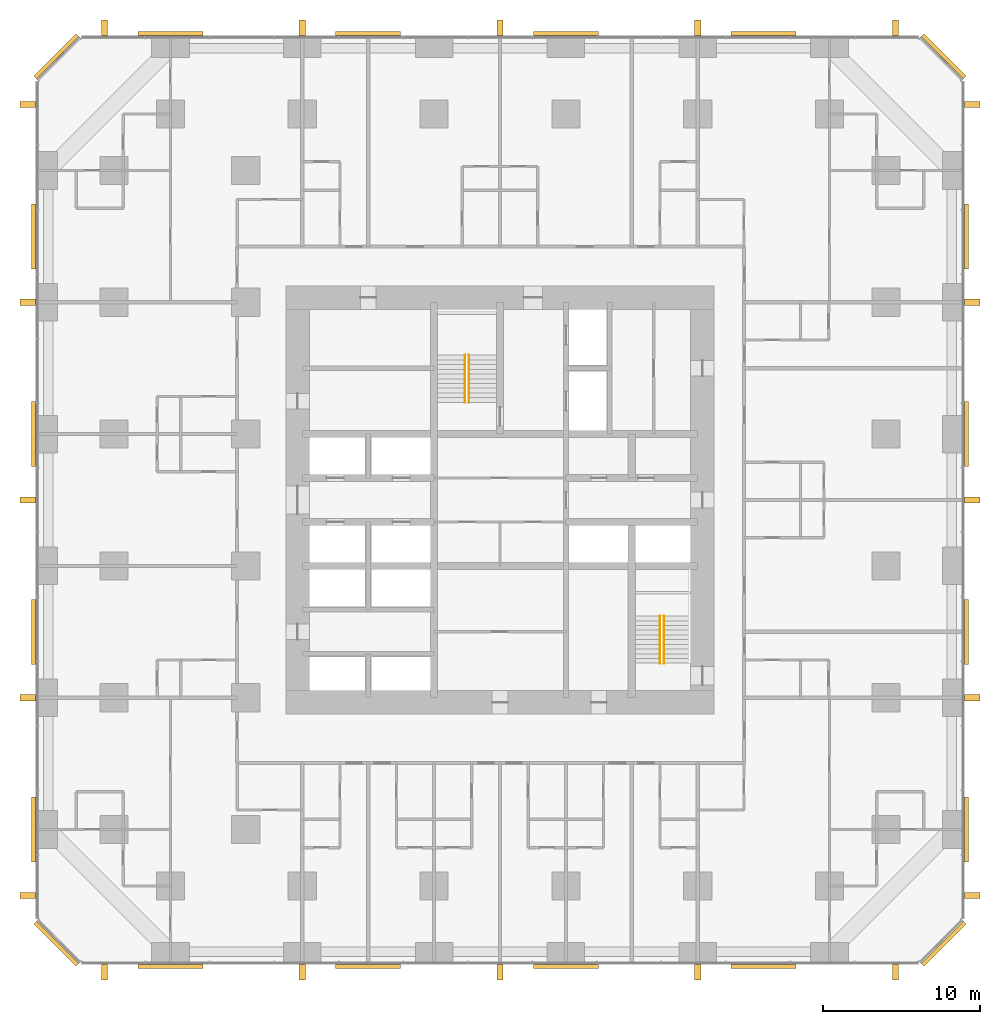
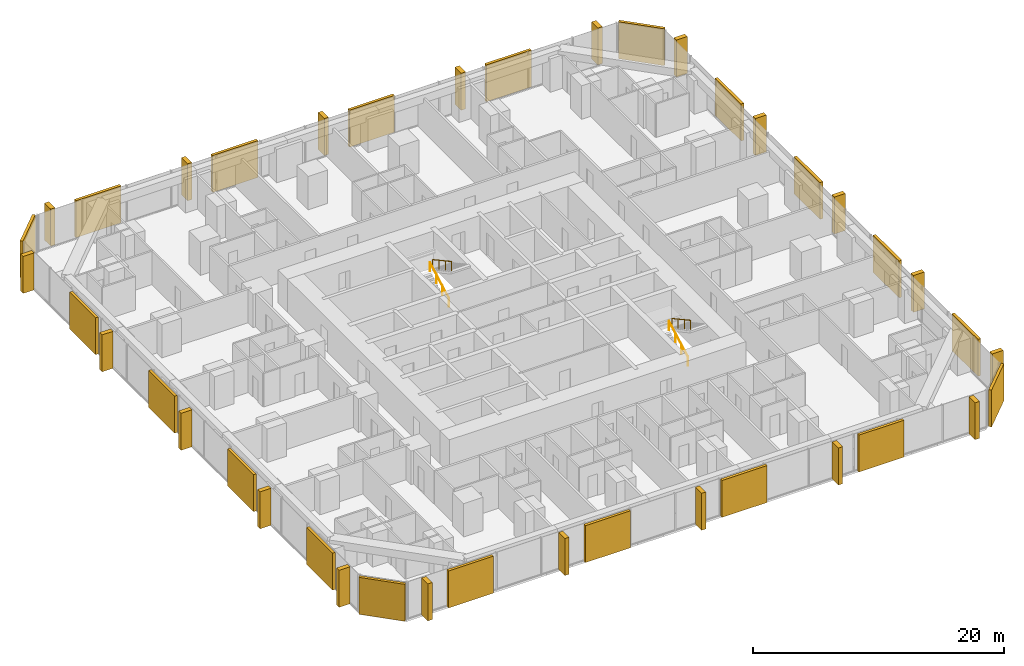
# One storey, part 17 of 17: 20 coverings, 20 shading devices, 4 railings.
"""IFC4 building model written with IfcOpenShell, lengths in metres."""

from ifc_helpers import new_model, si_unit, direction, frame, origin, origin_2d, place, context, subcontext, project, spatial, rectangle, circle, extrude, material, layer, layer_set, type_object, element, save


model = new_model("IFC4")

# Units and contexts
model_context = context("Model", 3, precision=1e-05, world=origin(), true_north=direction((0.0, 1.0)))
body_context = subcontext(model_context, "Body", "Model", "MODEL_VIEW")
ifc_project = project(units=[si_unit("LENGTHUNIT", "METRE"), si_unit("AREAUNIT", "SQUARE_METRE"), si_unit("VOLUMEUNIT", "CUBIC_METRE"), si_unit("PLANEANGLEUNIT", "RADIAN"), si_unit("MASSUNIT", "GRAM", prefix="KILO")], contexts=[model_context])

# Site, building, storey
site_placement = place(None, origin())
site = spatial("IfcSite", under=ifc_project, at=site_placement, CompositionType="ELEMENT")
building_placement = place(site_placement, origin())
building = spatial("IfcBuilding", under=site, at=building_placement, Name="Dunama Terrace Hotel", CompositionType="ELEMENT")
storey_placement = place(building_placement, frame((0.0, 0.0, 77.39990234375)))
storey = spatial("IfcBuildingStorey", under=building, at=storey_placement, Name="L19", CompositionType="ELEMENT", Elevation=77.39990234375)

# Railings
ifc_material_1 = material(Name="Stainless steel handrail", Category="steel")
railing_type = type_object("IfcRailingType", Name="Stair handrail 900", PredefinedType="HANDRAIL", material=ifc_material_1)
railing_1_placement = place(storey_placement, frame((27.175048828125, 35.625, 0.163818359375)))
element("IfcRailing", 1, at=railing_1_placement, inside=storey, type_object=railing_type, Name="Handrail ST1 L19", PredefinedType="HANDRAIL", context=body_context, shape_type="SweptSolid", body=[
    extrude(circle(Radius=0.02392578125, at=origin_2d()), frame((0.0, 0.0, 0.8759765625), z_axis=(0.0, 0.877911954615, 0.47882209634), x_axis=(-1.0, 0.0, 0.0)), (0.0, 0.0, 1.0), 3.417236328125),
    extrude(circle(Radius=0.02099609375, at=origin_2d()), origin(), (0.0, 0.0, 1.0), 0.851806640625),
    extrude(circle(Radius=0.02099609375, at=origin_2d()), frame((0.0, 1.0, 0.54541015625)), (0.0, 0.0, 1.0), 0.851806640625),
    extrude(circle(Radius=0.02099609375, at=origin_2d()), frame((0.0, 2.0, 1.0908203125)), (0.0, 0.0, 1.0), 0.851806640625),
    extrude(circle(Radius=0.02099609375, at=origin_2d()), frame((0.0, 3.0, 1.63623046875)), (0.0, 0.0, 1.0), 0.851806640625),
])
railing_2_placement = place(storey_placement, frame((27.425048828125, 38.625, 1.963623046875)))
element("IfcRailing", 2, at=railing_2_placement, inside=storey, type_object=railing_type, Name="Handrail ST1 L19", PredefinedType="HANDRAIL", context=body_context, shape_type="SweptSolid", body=[
    extrude(circle(Radius=0.02392578125, at=origin_2d()), frame((0.0, 0.0, 0.8759765625), z_axis=(0.0, -0.877881921179, 0.478877158013), x_axis=(1.0, 0.0, 0.0)), (0.0, 0.0, 1.0), 3.417236328125),
    extrude(circle(Radius=0.02099609375, at=origin_2d()), origin(), (0.0, 0.0, 1.0), 0.851806640625),
    extrude(circle(Radius=0.02099609375, at=origin_2d()), frame((0.0, -1.0, 0.54541015625)), (0.0, 0.0, 1.0), 0.851806640625),
    extrude(circle(Radius=0.02099609375, at=origin_2d()), frame((0.0, -2.0, 1.091064453125)), (0.0, 0.0, 1.0), 0.851806640625),
    extrude(circle(Radius=0.02099609375, at=origin_2d()), frame((0.0, -3.0, 1.636474609375)), (0.0, 0.0, 1.0), 0.851806640625),
])
railing_3_placement = place(storey_placement, frame((39.60009765625, 19.0, 0.163818359375)))
element("IfcRailing", 3, at=railing_3_placement, inside=storey, type_object=railing_type, Name="Handrail ST2 L19", PredefinedType="HANDRAIL", context=body_context, shape_type="SweptSolid", body=[
    extrude(circle(Radius=0.02392578125, at=origin_2d()), frame((0.0, 0.0, 0.8759765625), z_axis=(0.0, 0.877911954615, 0.47882209634), x_axis=(-1.0, 0.0, 0.0)), (0.0, 0.0, 1.0), 3.417236328125),
    extrude(circle(Radius=0.02099609375, at=origin_2d()), origin(), (0.0, 0.0, 1.0), 0.851806640625),
    extrude(circle(Radius=0.02099609375, at=origin_2d()), frame((0.0, 1.0, 0.54541015625)), (0.0, 0.0, 1.0), 0.851806640625),
    extrude(circle(Radius=0.02099609375, at=origin_2d()), frame((0.0, 2.0, 1.0908203125)), (0.0, 0.0, 1.0), 0.851806640625),
    extrude(circle(Radius=0.02099609375, at=origin_2d()), frame((0.0, 3.0, 1.63623046875)), (0.0, 0.0, 1.0), 0.851806640625),
])
railing_4_placement = place(storey_placement, frame((39.85009765625, 22.0, 1.963623046875)))
element("IfcRailing", 4, at=railing_4_placement, inside=storey, type_object=railing_type, Name="Handrail ST2 L19", PredefinedType="HANDRAIL", context=body_context, shape_type="SweptSolid", body=[
    extrude(circle(Radius=0.02392578125, at=origin_2d()), frame((0.0, 0.0, 0.8759765625), z_axis=(0.0, -0.877881921179, 0.478877158013), x_axis=(1.0, 0.0, 0.0)), (0.0, 0.0, 1.0), 3.417236328125),
    extrude(circle(Radius=0.02099609375, at=origin_2d()), origin(), (0.0, 0.0, 1.0), 0.851806640625),
    extrude(circle(Radius=0.02099609375, at=origin_2d()), frame((0.0, -1.0, 0.54541015625)), (0.0, 0.0, 1.0), 0.851806640625),
    extrude(circle(Radius=0.02099609375, at=origin_2d()), frame((0.0, -2.0, 1.091064453125)), (0.0, 0.0, 1.0), 0.851806640625),
    extrude(circle(Radius=0.02099609375, at=origin_2d()), frame((0.0, -3.0, 1.636474609375)), (0.0, 0.0, 1.0), 0.851806640625),
])

# Coverings
ifc_material_2 = material(Name="Warm reconstituted stone panel", Category="masonry")
ifc_layer_1 = layer(ifc_material_2, 0.25)
ifc_layer_set_1 = layer_set([ifc_layer_1], Name="Stone diagonal panel")
covering_type = type_object("IfcCoveringType", Name="Stone diagonal panel", PredefinedType="CLADDING", material=ifc_layer_set_1)
for number, where, z_axis, x_axis, name in (
    (5, (8.39990234375, -0.322998046875, 0.001953125), (0.0, 0.0, 1.0), (1.0, 0.0, 0.0), "Stone diagonal panel L19"),
    (6, (21.0, -0.322998046875, 0.001953125), (0.0, 0.0, 1.0), (1.0, 0.0, 0.0), "Stone diagonal panel L19"),
    (7, (33.60009765625, -0.322998046875, 0.001953125), (0.0, 0.0, 1.0), (1.0, 0.0, 0.0), "Stone diagonal panel L19"),
    (8, (46.199951171875, -0.322998046875, 0.001953125), (0.0, 0.0, 1.0), (1.0, 0.0, 0.0), "Stone diagonal panel L19"),
):
    element("IfcCovering", number, at=place(storey_placement, frame(where, z_axis=z_axis, x_axis=x_axis)), inside=storey, type_object=covering_type, Name=name, PredefinedType="CLADDING", context=body_context, shape_type="SweptSolid", body=[
        extrude(rectangle(XDim=4.14990234375, YDim=0.25, at=origin_2d()), origin(), (0.0, 0.0, 1.0), 3.595947265625),
    ])
covering_1_placement = place(storey_placement, frame((57.678955078125, 1.12109375, 0.001953125), z_axis=(0.0, 0.0, 1.0), x_axis=(0.707106781187, 0.707106781187, 0.0)))
element("IfcCovering", 9, at=covering_1_placement, inside=storey, type_object=covering_type, Name="Stone diagonal panel L19", PredefinedType="CLADDING", context=body_context, shape_type="SweptSolid", body=[
    extrude(rectangle(XDim=3.808349609375, YDim=0.25, at=origin_2d()), origin(), (0.0, 0.0, 1.0), 3.595947265625),
])
for number, where, z_axis, x_axis, name in (
    (10, (59.123046875, 8.39990234375, 0.001953125), (0.0, 0.0, 1.0), (0.0, 1.0, 0.0), "Stone diagonal panel L19"),
    (11, (59.123046875, 21.0, 0.001953125), (0.0, 0.0, 1.0), (0.0, 1.0, 0.0), "Stone diagonal panel L19"),
    (12, (59.123046875, 33.60009765625, 0.001953125), (0.0, 0.0, 1.0), (0.0, 1.0, 0.0), "Stone diagonal panel L19"),
    (13, (59.123046875, 46.199951171875, 0.001953125), (0.0, 0.0, 1.0), (0.0, 1.0, 0.0), "Stone diagonal panel L19"),
):
    element("IfcCovering", number, at=place(storey_placement, frame(where, z_axis=z_axis, x_axis=x_axis)), inside=storey, type_object=covering_type, Name=name, PredefinedType="CLADDING", context=body_context, shape_type="SweptSolid", body=[
        extrude(rectangle(XDim=4.14990234375, YDim=0.25, at=origin_2d()), origin(), (0.0, 0.0, 1.0), 3.595947265625),
    ])
covering_2_placement = place(storey_placement, frame((57.678955078125, 57.678955078125, 0.001953125), z_axis=(0.0, 0.0, 1.0), x_axis=(-0.707106781187, 0.707106781187, 0.0)))
element("IfcCovering", 14, at=covering_2_placement, inside=storey, type_object=covering_type, Name="Stone diagonal panel L19", PredefinedType="CLADDING", context=body_context, shape_type="SweptSolid", body=[
    extrude(rectangle(XDim=3.808349609375, YDim=0.25, at=origin_2d()), origin(), (0.0, 0.0, 1.0), 3.595947265625),
])
for number, where, z_axis, x_axis, name in (
    (15, (46.199951171875, 59.123046875, 0.001953125), (0.0, 0.0, 1.0), (-1.0, 0.0, 0.0), "Stone diagonal panel L19"),
    (16, (33.60009765625, 59.123046875, 0.001953125), (0.0, 0.0, 1.0), (-1.0, 0.0, 0.0), "Stone diagonal panel L19"),
    (17, (21.0, 59.123046875, 0.001953125), (0.0, 0.0, 1.0), (-1.0, 0.0, 0.0), "Stone diagonal panel L19"),
    (18, (8.39990234375, 59.123046875, 0.001953125), (0.0, 0.0, 1.0), (-1.0, 0.0, 0.0), "Stone diagonal panel L19"),
):
    element("IfcCovering", number, at=place(storey_placement, frame(where, z_axis=z_axis, x_axis=x_axis)), inside=storey, type_object=covering_type, Name=name, PredefinedType="CLADDING", context=body_context, shape_type="SweptSolid", body=[
        extrude(rectangle(XDim=4.14990234375, YDim=0.25, at=origin_2d()), origin(), (0.0, 0.0, 1.0), 3.595947265625),
    ])
covering_3_placement = place(storey_placement, frame((1.12109375, 57.678955078125, 0.001953125), z_axis=(0.0, 0.0, 1.0), x_axis=(-0.707106781187, -0.707106781187, 0.0)))
element("IfcCovering", 19, at=covering_3_placement, inside=storey, type_object=covering_type, Name="Stone diagonal panel L19", PredefinedType="CLADDING", context=body_context, shape_type="SweptSolid", body=[
    extrude(rectangle(XDim=3.808349609375, YDim=0.25, at=origin_2d()), origin(), (0.0, 0.0, 1.0), 3.595947265625),
])
for number, where, z_axis, x_axis, name in (
    (20, (-0.322998046875, 46.199951171875, 0.001953125), (0.0, 0.0, 1.0), (0.0, -1.0, 0.0), "Stone diagonal panel L19"),
    (21, (-0.322998046875, 33.60009765625, 0.001953125), (0.0, 0.0, 1.0), (0.0, -1.0, 0.0), "Stone diagonal panel L19"),
    (22, (-0.322998046875, 21.0, 0.001953125), (0.0, 0.0, 1.0), (0.0, -1.0, 0.0), "Stone diagonal panel L19"),
    (23, (-0.322998046875, 8.39990234375, 0.001953125), (0.0, 0.0, 1.0), (0.0, -1.0, 0.0), "Stone diagonal panel L19"),
):
    element("IfcCovering", number, at=place(storey_placement, frame(where, z_axis=z_axis, x_axis=x_axis)), inside=storey, type_object=covering_type, Name=name, PredefinedType="CLADDING", context=body_context, shape_type="SweptSolid", body=[
        extrude(rectangle(XDim=4.14990234375, YDim=0.25, at=origin_2d()), origin(), (0.0, 0.0, 1.0), 3.595947265625),
    ])
covering_4_placement = place(storey_placement, frame((1.12109375, 1.12109375, 0.001953125), z_axis=(0.0, 0.0, 1.0), x_axis=(0.707106781187, -0.707106781187, 0.0)))
element("IfcCovering", 24, at=covering_4_placement, inside=storey, type_object=covering_type, Name="Stone diagonal panel L19", PredefinedType="CLADDING", context=body_context, shape_type="SweptSolid", body=[
    extrude(rectangle(XDim=3.808349609375, YDim=0.25, at=origin_2d()), origin(), (0.0, 0.0, 1.0), 3.595947265625),
])

# Shading devices
ifc_material_3 = material(Name="Warm reconstituted stone fin", Category="masonry")
ifc_layer_2 = layer(ifc_material_3, 0.39990234375)
ifc_layer_set_2 = layer_set([ifc_layer_2], Name="Warm stone fin 400x1000")
shading_device_type = type_object("IfcShadingDeviceType", Name="Warm stone fin 400x1000", PredefinedType="USERDEFINED", material=ifc_layer_set_2)
for number, where, z_axis, x_axis, name in (
    (25, (4.199951171875, -0.68798828125, 0.0), (0.0, 0.0, 1.0), (1.0, 0.0, 0.0), "Stone fin"),
    (26, (16.800048828125, -0.68798828125, 0.0), (0.0, 0.0, 1.0), (1.0, 0.0, 0.0), "Stone fin"),
    (27, (29.39990234375, -0.68798828125, 0.0), (0.0, 0.0, 1.0), (1.0, 0.0, 0.0), "Stone fin"),
    (28, (42.0, -0.68798828125, 0.0), (0.0, 0.0, 1.0), (1.0, 0.0, 0.0), "Stone fin"),
    (29, (54.60009765625, -0.68798828125, 0.0), (0.0, 0.0, 1.0), (1.0, 0.0, 0.0), "Stone fin"),
    (30, (59.488037109375, 4.199951171875, 0.0), (0.0, 0.0, 1.0), (0.0, 1.0, 0.0), "Stone fin"),
    (31, (59.488037109375, 16.800048828125, 0.0), (0.0, 0.0, 1.0), (0.0, 1.0, 0.0), "Stone fin"),
    (32, (59.488037109375, 29.39990234375, 0.0), (0.0, 0.0, 1.0), (0.0, 1.0, 0.0), "Stone fin"),
    (33, (59.488037109375, 42.0, 0.0), (0.0, 0.0, 1.0), (0.0, 1.0, 0.0), "Stone fin"),
    (34, (59.488037109375, 54.60009765625, 0.0), (0.0, 0.0, 1.0), (0.0, 1.0, 0.0), "Stone fin"),
    (35, (54.60009765625, 59.488037109375, 0.0), (0.0, 0.0, 1.0), (-1.0, 0.0, 0.0), "Stone fin"),
    (36, (42.0, 59.488037109375, 0.0), (0.0, 0.0, 1.0), (-1.0, 0.0, 0.0), "Stone fin"),
    (37, (29.39990234375, 59.488037109375, 0.0), (0.0, 0.0, 1.0), (-1.0, 0.0, 0.0), "Stone fin"),
    (38, (16.800048828125, 59.488037109375, 0.0), (0.0, 0.0, 1.0), (-1.0, 0.0, 0.0), "Stone fin"),
    (39, (4.199951171875, 59.488037109375, 0.0), (0.0, 0.0, 1.0), (-1.0, 0.0, 0.0), "Stone fin"),
    (40, (-0.68798828125, 54.60009765625, 0.0), (0.0, 0.0, 1.0), (0.0, -1.0, 0.0), "Stone fin"),
    (41, (-0.68798828125, 42.0, 0.0), (0.0, 0.0, 1.0), (0.0, -1.0, 0.0), "Stone fin"),
    (42, (-0.68798828125, 29.39990234375, 0.0), (0.0, 0.0, 1.0), (0.0, -1.0, 0.0), "Stone fin"),
    (43, (-0.68798828125, 16.800048828125, 0.0), (0.0, 0.0, 1.0), (0.0, -1.0, 0.0), "Stone fin"),
    (44, (-0.68798828125, 4.199951171875, 0.0), (0.0, 0.0, 1.0), (0.0, -1.0, 0.0), "Stone fin"),
):
    element("IfcShadingDevice", number, at=place(storey_placement, frame(where, z_axis=z_axis, x_axis=x_axis)), inside=storey, type_object=shading_device_type, Name=name, ObjectType="FIN", PredefinedType="USERDEFINED", context=body_context, shape_type="SweptSolid", body=[
        extrude(rectangle(XDim=0.39990234375, YDim=1.0, at=origin_2d()), origin(), (0.0, 0.0, 1.0), 3.60009765625),
    ])

save(model, "model.ifc")
